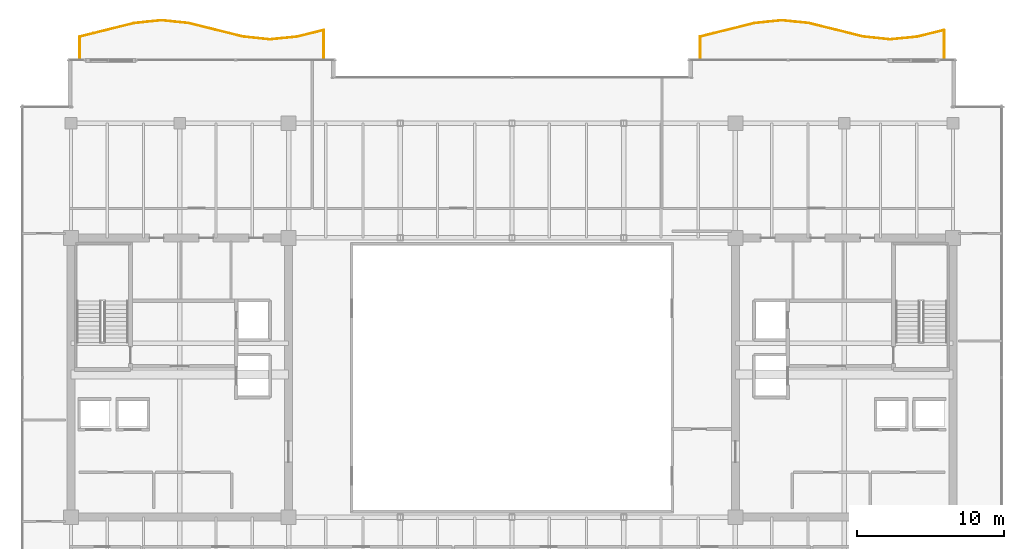
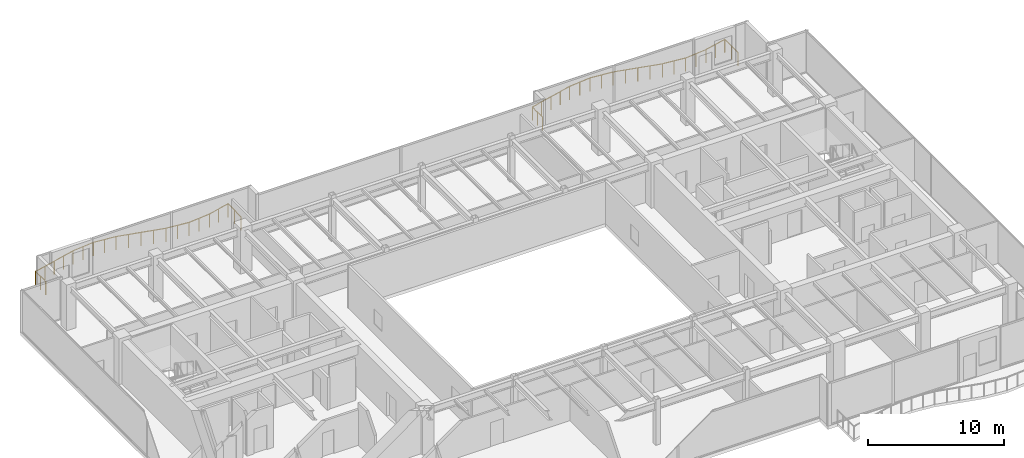
# One storey, part 34 of 34: 2 railings.
"""IFC4 building model written with IfcOpenShell, lengths in metres."""

from ifc_helpers import new_model, si_unit, direction, frame, origin, origin_2d, place, context, subcontext, project, spatial, circle, extrude, source, transform, mapped, material, type_object, type_shapes, element, save


model = new_model("IFC4")

# Units and contexts
model_context = context("Model", 3, precision=1e-05, world=origin(), true_north=direction((0.0, 1.0)))
body_context = subcontext(model_context, "Body", "Model", "MODEL_VIEW")
ifc_project = project(units=[si_unit("LENGTHUNIT", "METRE"), si_unit("AREAUNIT", "SQUARE_METRE"), si_unit("VOLUMEUNIT", "CUBIC_METRE"), si_unit("PLANEANGLEUNIT", "RADIAN"), si_unit("MASSUNIT", "GRAM", prefix="KILO")], contexts=[model_context])

# Site, building, storey
site_placement = place(None, origin())
site = spatial("IfcSite", under=ifc_project, at=site_placement, CompositionType="ELEMENT")
building_placement = place(site_placement, origin())
building = spatial("IfcBuilding", under=site, at=building_placement, Name="Haelvirn Gate Laboratories", CompositionType="ELEMENT")
storey_placement = place(building_placement, frame((0.0, 0.0, 205.5)))
storey = spatial("IfcBuildingStorey", under=building, at=storey_placement, Name="L49", CompositionType="ELEMENT", Elevation=205.5)

# Railings
ifc_material = material(Name="Laminated safety glass & bronze stainless steel 316L", Category="steel")
railing_type = type_object("IfcRailingType", Name="RLG-BAL-1200", PredefinedType="BALUSTRADE", material=ifc_material)
shared_shape_1 = source(origin(), body_context, "Body", "SweptSolid", [
    extrude(circle(Radius=0.02392578125, at=origin_2d()), frame((0.0, 0.0, 1.17578125), z_axis=(0.0, 1.0, 0.0), x_axis=(-1.0, 0.0, 0.0)), (0.0, 0.0, 1.0), 1.490478515625),
    extrude(circle(Radius=0.02392578125, at=origin_2d()), frame((0.0, 1.490478515625, 1.17578125), z_axis=(0.970526659918, 0.240993780808, 0.0), x_axis=(-0.240993780808, 0.970526659918, 0.0)), (0.0, 0.0, 1.0), 1.900390625),
    extrude(circle(Radius=0.02392578125, at=origin_2d()), frame((1.844482421875, 1.948486328125, 1.17578125), z_axis=(0.970406370256, 0.241477693724, 0.0), x_axis=(-0.241477693724, 0.970406370256, 0.0)), (0.0, 0.0, 1.0), 1.900634765625),
    extrude(circle(Radius=0.02392578125, at=origin_2d()), frame((3.68896484375, 2.407470703125, 1.17578125), z_axis=(0.994589538856, 0.103882862875, 0.0), x_axis=(-0.103882862875, 0.994589538856, 0.0)), (0.0, 0.0, 1.0), 1.854248046875),
    extrude(circle(Radius=0.02392578125, at=origin_2d()), frame((5.533203125, 2.60009765625, 1.17578125), z_axis=(0.994938918, -0.100481587615, 0.0), x_axis=(0.100481587615, 0.994938918, 0.0)), (0.0, 0.0, 1.0), 1.853759765625),
    extrude(circle(Radius=0.02392578125, at=origin_2d()), frame((7.377685546875, 2.413818359375, 1.17578125), z_axis=(0.970766604162, -0.240025415827, 0.0), x_axis=(0.240025415827, 0.970766604162, 0.0)), (0.0, 0.0, 1.0), 1.900146484375),
    extrude(circle(Radius=0.02392578125, at=origin_2d()), frame((9.22216796875, 1.957763671875, 1.17578125), z_axis=(0.970165157144, -0.242444979045, 0.0), x_axis=(0.242444979045, 0.970165157144, 0.0)), (0.0, 0.0, 1.0), 1.901123046875),
    extrude(circle(Radius=0.02392578125, at=origin_2d()), frame((11.066650390625, 1.496826171875, 1.17578125), z_axis=(0.99435734959, -0.106082332729, 0.0), x_axis=(0.106082332729, 0.99435734959, 0.0)), (0.0, 0.0, 1.0), 1.85498046875),
    extrude(circle(Radius=0.02392578125, at=origin_2d()), frame((12.9111328125, 1.300048828125, 1.17578125), z_axis=(0.995186044296, 0.098003761344, 0.0), x_axis=(-0.098003761344, 0.995186044296, 0.0)), (0.0, 0.0, 1.0), 1.853515625),
    extrude(circle(Radius=0.02392578125, at=origin_2d()), frame((14.755615234375, 1.481689453125, 1.17578125), z_axis=(0.970946005637, 0.239298671409, 0.0), x_axis=(-0.239298671409, 0.970946005637, 0.0)), (0.0, 0.0, 1.0), 1.899658203125),
    extrude(circle(Radius=0.02392578125, at=origin_2d()), frame((16.60009765625, 1.936279296875, 1.17578125), z_axis=(0.0, -1.0, 0.0), x_axis=(1.0, 0.0, 0.0)), (0.0, 0.0, 1.0), 1.936279296875),
    extrude(circle(Radius=0.02099609375, at=origin_2d()), origin(), (0.0, 0.0, 1.0), 1.15185546875),
    extrude(circle(Radius=0.02099609375, at=origin_2d()), frame((0.0, 0.7451171875, 0.0)), (0.0, 0.0, 1.0), 1.15185546875),
    extrude(circle(Radius=0.02099609375, at=origin_2d()), frame((0.0, 1.490478515625, 0.0)), (0.0, 0.0, 1.0), 1.15185546875),
    extrude(circle(Radius=0.02099609375, at=origin_2d()), frame((0.92236328125, 1.719482421875, 0.0)), (0.0, 0.0, 1.0), 1.15185546875),
    extrude(circle(Radius=0.02099609375, at=origin_2d()), frame((1.844482421875, 1.948486328125, 0.0)), (0.0, 0.0, 1.0), 1.15185546875),
    extrude(circle(Radius=0.02099609375, at=origin_2d()), frame((2.7666015625, 2.177978515625, 0.0)), (0.0, 0.0, 1.0), 1.15185546875),
    extrude(circle(Radius=0.02099609375, at=origin_2d()), frame((3.68896484375, 2.407470703125, 0.0)), (0.0, 0.0, 1.0), 1.15185546875),
    extrude(circle(Radius=0.02099609375, at=origin_2d()), frame((4.611083984375, 2.50390625, 0.0)), (0.0, 0.0, 1.0), 1.15185546875),
    extrude(circle(Radius=0.02099609375, at=origin_2d()), frame((5.533203125, 2.60009765625, 0.0)), (0.0, 0.0, 1.0), 1.15185546875),
    extrude(circle(Radius=0.02099609375, at=origin_2d()), frame((6.45556640625, 2.5068359375, 0.0)), (0.0, 0.0, 1.0), 1.15185546875),
    extrude(circle(Radius=0.02099609375, at=origin_2d()), frame((7.377685546875, 2.413818359375, 0.0)), (0.0, 0.0, 1.0), 1.15185546875),
    extrude(circle(Radius=0.02099609375, at=origin_2d()), frame((8.2998046875, 2.185791015625, 0.0)), (0.0, 0.0, 1.0), 1.15185546875),
    extrude(circle(Radius=0.02099609375, at=origin_2d()), frame((9.22216796875, 1.957763671875, 0.0)), (0.0, 0.0, 1.0), 1.15185546875),
    extrude(circle(Radius=0.02099609375, at=origin_2d()), frame((10.14453125, 1.727294921875, 0.0)), (0.0, 0.0, 1.0), 1.15185546875),
    extrude(circle(Radius=0.02099609375, at=origin_2d()), frame((11.066650390625, 1.496826171875, 0.0)), (0.0, 0.0, 1.0), 1.15185546875),
    extrude(circle(Radius=0.02099609375, at=origin_2d()), frame((11.98876953125, 1.3984375, 0.0)), (0.0, 0.0, 1.0), 1.15185546875),
    extrude(circle(Radius=0.02099609375, at=origin_2d()), frame((12.9111328125, 1.300048828125, 0.0)), (0.0, 0.0, 1.0), 1.15185546875),
    extrude(circle(Radius=0.02099609375, at=origin_2d()), frame((13.83349609375, 1.390869140625, 0.0)), (0.0, 0.0, 1.0), 1.15185546875),
    extrude(circle(Radius=0.02099609375, at=origin_2d()), frame((14.755615234375, 1.481689453125, 0.0)), (0.0, 0.0, 1.0), 1.15185546875),
    extrude(circle(Radius=0.02099609375, at=origin_2d()), frame((15.677734375, 1.708984375, 0.0)), (0.0, 0.0, 1.0), 1.15185546875),
    extrude(circle(Radius=0.02099609375, at=origin_2d()), frame((16.60009765625, 1.936279296875, 0.0)), (0.0, 0.0, 1.0), 1.15185546875),
    extrude(circle(Radius=0.02099609375, at=origin_2d()), frame((16.60009765625, 0.96826171875, 0.0)), (0.0, 0.0, 1.0), 1.15185546875),
    extrude(circle(Radius=0.02099609375, at=origin_2d()), frame((16.60009765625, 0.0, 0.0)), (0.0, 0.0, 1.0), 1.15185546875),
])
railing_1_placement = place(storey_placement, frame((8.0, 46.0, 0.0)))
element("IfcRailing", 1, at=railing_1_placement, inside=storey, type_object=railing_type, Name="L49 Wave Balcony Balustrade WL-N", PredefinedType="BALUSTRADE", context=body_context, shape_type="MappedRepresentation", body=[
    mapped(shared_shape_1, transform((0.0, 0.0, 0.0), scale=1.0)),
])
shared_shape_2 = source(origin(), body_context, "Body", "SweptSolid", [
    extrude(circle(Radius=0.02392578125, at=origin_2d()), frame((0.0, 0.0, 1.17578125), z_axis=(0.0, 1.0, 0.0), x_axis=(-1.0, 0.0, 0.0)), (0.0, 0.0, 1.0), 1.490478515625),
    extrude(circle(Radius=0.02392578125, at=origin_2d()), frame((0.0, 1.490478515625, 1.17578125), z_axis=(0.970526659918, 0.240993780808, 0.0), x_axis=(-0.240993780808, 0.970526659918, 0.0)), (0.0, 0.0, 1.0), 1.900390625),
    extrude(circle(Radius=0.02392578125, at=origin_2d()), frame((1.844482421875, 1.948486328125, 1.17578125), z_axis=(0.970406370256, 0.241477693724, 0.0), x_axis=(-0.241477693724, 0.970406370256, 0.0)), (0.0, 0.0, 1.0), 1.900634765625),
    extrude(circle(Radius=0.02392578125, at=origin_2d()), frame((3.68896484375, 2.407470703125, 1.17578125), z_axis=(0.994590959448, 0.10386926102, 0.0), x_axis=(-0.10386926102, 0.994590959448, 0.0)), (0.0, 0.0, 1.0), 1.8544921875),
    extrude(circle(Radius=0.02392578125, at=origin_2d()), frame((5.533447265625, 2.60009765625, 1.17578125), z_axis=(0.994938918, -0.100481587615, 0.0), x_axis=(0.100481587615, 0.994938918, 0.0)), (0.0, 0.0, 1.0), 1.853759765625),
    extrude(circle(Radius=0.02392578125, at=origin_2d()), frame((7.3779296875, 2.413818359375, 1.17578125), z_axis=(0.970759199997, -0.240055359491, 0.0), x_axis=(0.240055359491, 0.970759199997, 0.0)), (0.0, 0.0, 1.0), 1.89990234375),
    extrude(circle(Radius=0.02392578125, at=origin_2d()), frame((9.22216796875, 1.957763671875, 1.17578125), z_axis=(0.970165157144, -0.242444979045, 0.0), x_axis=(0.242444979045, 0.970165157144, 0.0)), (0.0, 0.0, 1.0), 1.901123046875),
    extrude(circle(Radius=0.02392578125, at=origin_2d()), frame((11.066650390625, 1.496826171875, 1.17578125), z_axis=(0.99435734959, -0.106082332729, 0.0), x_axis=(0.106082332729, 0.99435734959, 0.0)), (0.0, 0.0, 1.0), 1.85498046875),
    extrude(circle(Radius=0.02392578125, at=origin_2d()), frame((12.9111328125, 1.300048828125, 1.17578125), z_axis=(0.995186044296, 0.098003761344, 0.0), x_axis=(-0.098003761344, 0.995186044296, 0.0)), (0.0, 0.0, 1.0), 1.853515625),
    extrude(circle(Radius=0.02392578125, at=origin_2d()), frame((14.755615234375, 1.481689453125, 1.17578125), z_axis=(0.970946005637, 0.239298671409, 0.0), x_axis=(-0.239298671409, 0.970946005637, 0.0)), (0.0, 0.0, 1.0), 1.899658203125),
    extrude(circle(Radius=0.02392578125, at=origin_2d()), frame((16.60009765625, 1.936279296875, 1.17578125), z_axis=(0.0, -1.0, 0.0), x_axis=(1.0, 0.0, 0.0)), (0.0, 0.0, 1.0), 1.936279296875),
    extrude(circle(Radius=0.02099609375, at=origin_2d()), origin(), (0.0, 0.0, 1.0), 1.15185546875),
    extrude(circle(Radius=0.02099609375, at=origin_2d()), frame((0.0, 0.7451171875, 0.0)), (0.0, 0.0, 1.0), 1.15185546875),
    extrude(circle(Radius=0.02099609375, at=origin_2d()), frame((0.0, 1.490478515625, 0.0)), (0.0, 0.0, 1.0), 1.15185546875),
    extrude(circle(Radius=0.02099609375, at=origin_2d()), frame((0.92236328125, 1.719482421875, 0.0)), (0.0, 0.0, 1.0), 1.15185546875),
    extrude(circle(Radius=0.02099609375, at=origin_2d()), frame((1.844482421875, 1.948486328125, 0.0)), (0.0, 0.0, 1.0), 1.15185546875),
    extrude(circle(Radius=0.02099609375, at=origin_2d()), frame((2.7666015625, 2.177978515625, 0.0)), (0.0, 0.0, 1.0), 1.15185546875),
    extrude(circle(Radius=0.02099609375, at=origin_2d()), frame((3.68896484375, 2.407470703125, 0.0)), (0.0, 0.0, 1.0), 1.15185546875),
    extrude(circle(Radius=0.02099609375, at=origin_2d()), frame((4.611328125, 2.50390625, 0.0)), (0.0, 0.0, 1.0), 1.15185546875),
    extrude(circle(Radius=0.02099609375, at=origin_2d()), frame((5.533447265625, 2.60009765625, 0.0)), (0.0, 0.0, 1.0), 1.15185546875),
    extrude(circle(Radius=0.02099609375, at=origin_2d()), frame((6.45556640625, 2.5068359375, 0.0)), (0.0, 0.0, 1.0), 1.15185546875),
    extrude(circle(Radius=0.02099609375, at=origin_2d()), frame((7.3779296875, 2.413818359375, 0.0)), (0.0, 0.0, 1.0), 1.15185546875),
    extrude(circle(Radius=0.02099609375, at=origin_2d()), frame((8.300048828125, 2.185791015625, 0.0)), (0.0, 0.0, 1.0), 1.15185546875),
    extrude(circle(Radius=0.02099609375, at=origin_2d()), frame((9.22216796875, 1.957763671875, 0.0)), (0.0, 0.0, 1.0), 1.15185546875),
    extrude(circle(Radius=0.02099609375, at=origin_2d()), frame((10.14453125, 1.727294921875, 0.0)), (0.0, 0.0, 1.0), 1.15185546875),
    extrude(circle(Radius=0.02099609375, at=origin_2d()), frame((11.066650390625, 1.496826171875, 0.0)), (0.0, 0.0, 1.0), 1.15185546875),
    extrude(circle(Radius=0.02099609375, at=origin_2d()), frame((11.98876953125, 1.3984375, 0.0)), (0.0, 0.0, 1.0), 1.15185546875),
    extrude(circle(Radius=0.02099609375, at=origin_2d()), frame((12.9111328125, 1.300048828125, 0.0)), (0.0, 0.0, 1.0), 1.15185546875),
    extrude(circle(Radius=0.02099609375, at=origin_2d()), frame((13.83349609375, 1.390869140625, 0.0)), (0.0, 0.0, 1.0), 1.15185546875),
    extrude(circle(Radius=0.02099609375, at=origin_2d()), frame((14.755615234375, 1.481689453125, 0.0)), (0.0, 0.0, 1.0), 1.15185546875),
    extrude(circle(Radius=0.02099609375, at=origin_2d()), frame((15.677734375, 1.708984375, 0.0)), (0.0, 0.0, 1.0), 1.15185546875),
    extrude(circle(Radius=0.02099609375, at=origin_2d()), frame((16.60009765625, 1.936279296875, 0.0)), (0.0, 0.0, 1.0), 1.15185546875),
    extrude(circle(Radius=0.02099609375, at=origin_2d()), frame((16.60009765625, 0.96826171875, 0.0)), (0.0, 0.0, 1.0), 1.15185546875),
    extrude(circle(Radius=0.02099609375, at=origin_2d()), frame((16.60009765625, 0.0, 0.0)), (0.0, 0.0, 1.0), 1.15185546875),
])
type_shapes(railing_type, [shared_shape_1, shared_shape_2])
railing_2_placement = place(storey_placement, frame((50.199951171875, 46.0, 0.0)))
element("IfcRailing", 2, at=railing_2_placement, inside=storey, type_object=railing_type, Name="L49 Wave Balcony Balustrade EL-N", PredefinedType="BALUSTRADE", context=body_context, shape_type="MappedRepresentation", body=[
    mapped(shared_shape_2, transform((0.0, 0.0, 0.0), scale=1.0)),
])

save(model, "model.ifc")
